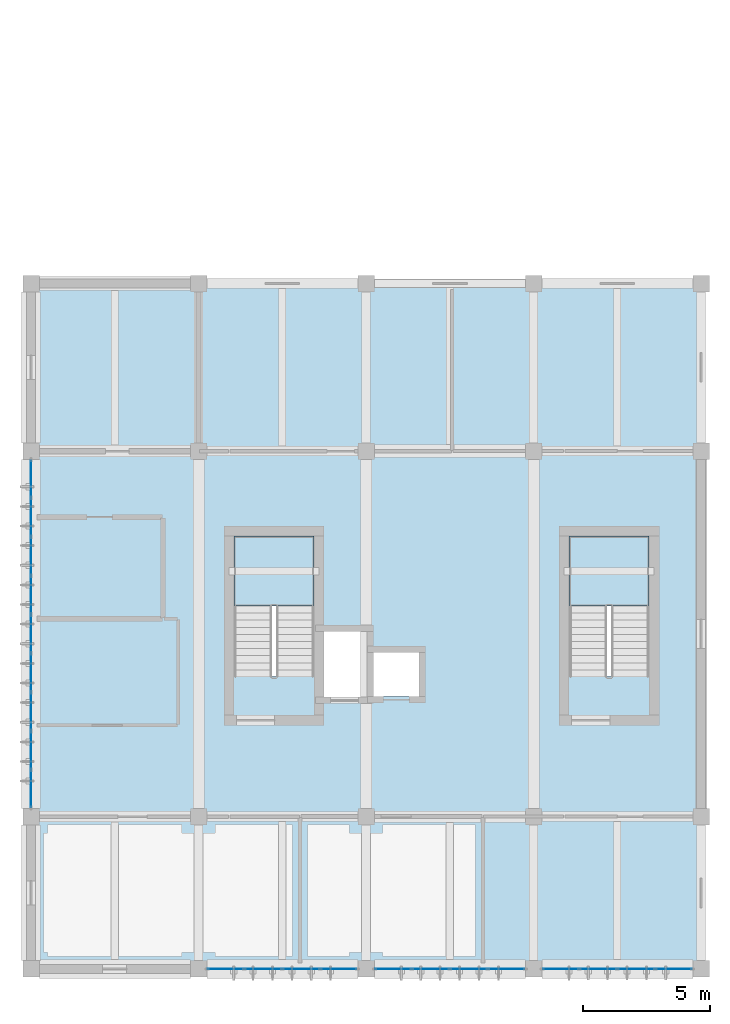
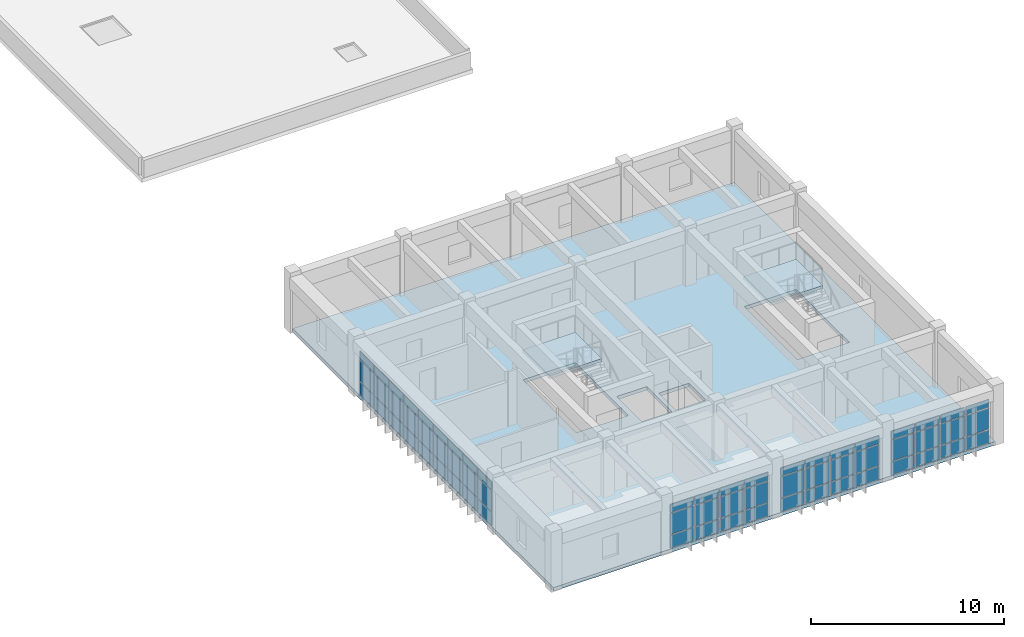
# One storey, part 5 of 9: 63 plates, 3 slabs, 6 elements without a shape of their own.
"""IFC4 building model written with IfcOpenShell, lengths in metres."""

from ifc_helpers import new_model, si_unit, direction, frame, origin, origin_2d, place, context, subcontext, project, spatial, polyline, rectangle, outline, extrude, material, layer, layer_set, type_object, element, aggregate, save


model = new_model("IFC4")

# Units and contexts
model_context = context("Model", 3, precision=1e-05, world=origin(), true_north=direction((0.0, 1.0)))
body_context = subcontext(model_context, "Body", "Model", "MODEL_VIEW")
ifc_project = project(units=[si_unit("LENGTHUNIT", "METRE"), si_unit("AREAUNIT", "SQUARE_METRE"), si_unit("VOLUMEUNIT", "CUBIC_METRE"), si_unit("PLANEANGLEUNIT", "RADIAN"), si_unit("MASSUNIT", "GRAM", prefix="KILO")], contexts=[model_context])

# Site, building, storey
site_placement = place(None, origin())
site = spatial("IfcSite", under=ifc_project, at=site_placement, CompositionType="ELEMENT")
building_placement = place(site_placement, origin())
building = spatial("IfcBuilding", under=site, at=building_placement, Name="Miralva Faculty of Natural Sciences", CompositionType="ELEMENT")
storey_placement = place(building_placement, frame((0.0, 0.0, 33.0)))
storey = spatial("IfcBuildingStorey", under=building, at=storey_placement, Name="L07", CompositionType="ELEMENT", Elevation=33.0)

# Curtain wall, plates
ifc_material_1 = material(Name="Laminated solar-control glass", Category="glass")
ifc_layer_1 = layer(ifc_material_1, 0.179931640625, Name="CW-TWR-L07")
ifc_layer_set_1 = layer_set([ifc_layer_1], Name="Laminated solar-control glass")
curtain_wall_type = type_object("IfcCurtainWallType", Name="CW-TWR-L07", PredefinedType="USERDEFINED", material=ifc_layer_set_1)
curtain_wall_1_placement = place(storey_placement, origin())
curtain_wall_1 = element("IfcCurtainWall", 1, at=curtain_wall_1_placement, inside=storey, type_object=curtain_wall_type, Name="Curtain wall CW-15 L07-243", ObjectType="UNITISED CURTAIN WALL", PredefinedType="USERDEFINED")
ifc_layer_2 = layer(ifc_material_1, 0.028076171875, Name="PNL-P01")
ifc_layer_set_2 = layer_set([ifc_layer_2], Name="Laminated solar-control glass")
plate_type = type_object("IfcPlateType", Name="PNL-P01", PredefinedType="CURTAIN_PANEL", material=ifc_layer_set_2)
plate_1_placement = place(storey_placement, frame((10.668701171875, 3.0, 0.06005859375), z_axis=(0.0, 0.0, 1.0), x_axis=(1.0, 0.0, 0.0)))
plate_1 = element("IfcPlate", 2, at=plate_1_placement, type_object=plate_type, Name="CW-15 panel 1.1", PredefinedType="CURTAIN_PANEL", context=body_context, shape_type="SweptSolid", body=[
    extrude(rectangle(XDim=1.3974609375, YDim=0.028076171875, at=origin_2d()), origin(), (0.0, 0.0, 1.0), 0.81005859375),
])
plate_2_placement = place(storey_placement, frame((10.668701171875, 3.0, 0.929931640625), z_axis=(0.0, 0.0, 1.0), x_axis=(1.0, 0.0, 0.0)))
plate_2 = element("IfcPlate", 3, at=plate_2_placement, type_object=plate_type, Name="CW-15 panel 1.2", PredefinedType="CURTAIN_PANEL", context=body_context, shape_type="SweptSolid", body=[
    extrude(rectangle(XDim=1.3974609375, YDim=0.028076171875, at=origin_2d()), origin(), (0.0, 0.0, 1.0), 1.31494140625),
])
plate_3_placement = place(storey_placement, frame((10.668701171875, 3.0, 2.30517578125), z_axis=(0.0, 0.0, 1.0), x_axis=(1.0, 0.0, 0.0)))
plate_3 = element("IfcPlate", 4, at=plate_3_placement, type_object=plate_type, Name="CW-15 panel 1.3", PredefinedType="CURTAIN_PANEL", context=body_context, shape_type="SweptSolid", body=[
    extrude(rectangle(XDim=1.3974609375, YDim=0.028076171875, at=origin_2d()), origin(), (0.0, 0.0, 1.0), 0.510009765625),
])
plate_4_placement = place(storey_placement, frame((12.1474609375, 3.0, 0.06005859375), z_axis=(0.0, 0.0, 1.0), x_axis=(1.0, 0.0, 0.0)))
plate_4 = element("IfcPlate", 5, at=plate_4_placement, type_object=plate_type, Name="CW-15 panel 2.1", PredefinedType="CURTAIN_PANEL", context=body_context, shape_type="SweptSolid", body=[
    extrude(rectangle(XDim=1.429931640625, YDim=0.028076171875, at=origin_2d()), origin(), (0.0, 0.0, 1.0), 0.81005859375),
])
plate_5_placement = place(storey_placement, frame((12.1474609375, 3.0, 0.929931640625), z_axis=(0.0, 0.0, 1.0), x_axis=(1.0, 0.0, 0.0)))
plate_5 = element("IfcPlate", 6, at=plate_5_placement, type_object=plate_type, Name="CW-15 panel 2.2", PredefinedType="CURTAIN_PANEL", context=body_context, shape_type="SweptSolid", body=[
    extrude(rectangle(XDim=1.429931640625, YDim=0.028076171875, at=origin_2d()), origin(), (0.0, 0.0, 1.0), 1.31494140625),
])
plate_6_placement = place(storey_placement, frame((12.1474609375, 3.0, 2.30517578125), z_axis=(0.0, 0.0, 1.0), x_axis=(1.0, 0.0, 0.0)))
plate_6 = element("IfcPlate", 7, at=plate_6_placement, type_object=plate_type, Name="CW-15 panel 2.3", PredefinedType="CURTAIN_PANEL", context=body_context, shape_type="SweptSolid", body=[
    extrude(rectangle(XDim=1.429931640625, YDim=0.028076171875, at=origin_2d()), origin(), (0.0, 0.0, 1.0), 0.510009765625),
])
plate_7_placement = place(storey_placement, frame((13.642578125, 3.0, 0.06005859375), z_axis=(0.0, 0.0, 1.0), x_axis=(1.0, 0.0, 0.0)))
plate_7 = element("IfcPlate", 8, at=plate_7_placement, type_object=plate_type, Name="CW-15 panel 3.1", PredefinedType="CURTAIN_PANEL", context=body_context, shape_type="SweptSolid", body=[
    extrude(rectangle(XDim=1.429931640625, YDim=0.028076171875, at=origin_2d()), origin(), (0.0, 0.0, 1.0), 0.81005859375),
])
plate_8_placement = place(storey_placement, frame((13.642578125, 3.0, 0.929931640625), z_axis=(0.0, 0.0, 1.0), x_axis=(1.0, 0.0, 0.0)))
plate_8 = element("IfcPlate", 9, at=plate_8_placement, type_object=plate_type, Name="CW-15 panel 3.2", PredefinedType="CURTAIN_PANEL", context=body_context, shape_type="SweptSolid", body=[
    extrude(rectangle(XDim=1.429931640625, YDim=0.028076171875, at=origin_2d()), origin(), (0.0, 0.0, 1.0), 1.31494140625),
])
plate_9_placement = place(storey_placement, frame((13.642578125, 3.0, 2.30517578125), z_axis=(0.0, 0.0, 1.0), x_axis=(1.0, 0.0, 0.0)))
plate_9 = element("IfcPlate", 10, at=plate_9_placement, type_object=plate_type, Name="CW-15 panel 3.3", PredefinedType="CURTAIN_PANEL", context=body_context, shape_type="SweptSolid", body=[
    extrude(rectangle(XDim=1.429931640625, YDim=0.028076171875, at=origin_2d()), origin(), (0.0, 0.0, 1.0), 0.510009765625),
])
plate_10_placement = place(storey_placement, frame((15.121337890625, 3.0, 0.06005859375), z_axis=(0.0, 0.0, 1.0), x_axis=(1.0, 0.0, 0.0)))
plate_10 = element("IfcPlate", 11, at=plate_10_placement, type_object=plate_type, Name="CW-15 panel 4.1", PredefinedType="CURTAIN_PANEL", context=body_context, shape_type="SweptSolid", body=[
    extrude(rectangle(XDim=1.3974609375, YDim=0.028076171875, at=origin_2d()), origin(), (0.0, 0.0, 1.0), 0.81005859375),
])
plate_11_placement = place(storey_placement, frame((15.121337890625, 3.0, 0.929931640625), z_axis=(0.0, 0.0, 1.0), x_axis=(1.0, 0.0, 0.0)))
plate_11 = element("IfcPlate", 12, at=plate_11_placement, type_object=plate_type, Name="CW-15 panel 4.2", PredefinedType="CURTAIN_PANEL", context=body_context, shape_type="SweptSolid", body=[
    extrude(rectangle(XDim=1.3974609375, YDim=0.028076171875, at=origin_2d()), origin(), (0.0, 0.0, 1.0), 1.31494140625),
])
plate_12_placement = place(storey_placement, frame((15.121337890625, 3.0, 2.30517578125), z_axis=(0.0, 0.0, 1.0), x_axis=(1.0, 0.0, 0.0)))
plate_12 = element("IfcPlate", 13, at=plate_12_placement, type_object=plate_type, Name="CW-15 panel 4.3", PredefinedType="CURTAIN_PANEL", context=body_context, shape_type="SweptSolid", body=[
    extrude(rectangle(XDim=1.3974609375, YDim=0.028076171875, at=origin_2d()), origin(), (0.0, 0.0, 1.0), 0.510009765625),
])
aggregate(curtain_wall_1, [plate_1, plate_2, plate_3, plate_4, plate_5, plate_6, plate_7, plate_8, plate_9, plate_10, plate_11, plate_12])

curtain_wall_2_placement = place(storey_placement, origin())
curtain_wall_2 = element("IfcCurtainWall", 14, at=curtain_wall_2_placement, inside=storey, type_object=curtain_wall_type, Name="Curtain wall CW-15 L07-244", ObjectType="UNITISED CURTAIN WALL", PredefinedType="USERDEFINED")
plate_13_placement = place(storey_placement, frame((17.27001953125, 3.0, 0.06005859375), z_axis=(0.0, 0.0, 1.0), x_axis=(1.0, 0.0, 0.0)))
plate_13 = element("IfcPlate", 15, at=plate_13_placement, type_object=plate_type, Name="CW-15 panel 1.1", PredefinedType="CURTAIN_PANEL", context=body_context, shape_type="SweptSolid", body=[
    extrude(rectangle(XDim=1.39990234375, YDim=0.028076171875, at=origin_2d()), origin(), (0.0, 0.0, 1.0), 0.81005859375),
])
plate_14_placement = place(storey_placement, frame((17.27001953125, 3.0, 0.929931640625), z_axis=(0.0, 0.0, 1.0), x_axis=(1.0, 0.0, 0.0)))
plate_14 = element("IfcPlate", 16, at=plate_14_placement, type_object=plate_type, Name="CW-15 panel 1.2", PredefinedType="CURTAIN_PANEL", context=body_context, shape_type="SweptSolid", body=[
    extrude(rectangle(XDim=1.39990234375, YDim=0.028076171875, at=origin_2d()), origin(), (0.0, 0.0, 1.0), 1.31494140625),
])
plate_15_placement = place(storey_placement, frame((17.27001953125, 3.0, 2.30517578125), z_axis=(0.0, 0.0, 1.0), x_axis=(1.0, 0.0, 0.0)))
plate_15 = element("IfcPlate", 17, at=plate_15_placement, type_object=plate_type, Name="CW-15 panel 1.3", PredefinedType="CURTAIN_PANEL", context=body_context, shape_type="SweptSolid", body=[
    extrude(rectangle(XDim=1.39990234375, YDim=0.028076171875, at=origin_2d()), origin(), (0.0, 0.0, 1.0), 0.510009765625),
])
plate_16_placement = place(storey_placement, frame((18.751220703125, 3.0, 0.06005859375), z_axis=(0.0, 0.0, 1.0), x_axis=(1.0, 0.0, 0.0)))
plate_16 = element("IfcPlate", 18, at=plate_16_placement, type_object=plate_type, Name="CW-15 panel 2.1", PredefinedType="CURTAIN_PANEL", context=body_context, shape_type="SweptSolid", body=[
    extrude(rectangle(XDim=1.4326171875, YDim=0.028076171875, at=origin_2d()), origin(), (0.0, 0.0, 1.0), 0.81005859375),
])
plate_17_placement = place(storey_placement, frame((18.751220703125, 3.0, 0.929931640625), z_axis=(0.0, 0.0, 1.0), x_axis=(1.0, 0.0, 0.0)))
plate_17 = element("IfcPlate", 19, at=plate_17_placement, type_object=plate_type, Name="CW-15 panel 2.2", PredefinedType="CURTAIN_PANEL", context=body_context, shape_type="SweptSolid", body=[
    extrude(rectangle(XDim=1.4326171875, YDim=0.028076171875, at=origin_2d()), origin(), (0.0, 0.0, 1.0), 1.31494140625),
])
plate_18_placement = place(storey_placement, frame((18.751220703125, 3.0, 2.30517578125), z_axis=(0.0, 0.0, 1.0), x_axis=(1.0, 0.0, 0.0)))
plate_18 = element("IfcPlate", 20, at=plate_18_placement, type_object=plate_type, Name="CW-15 panel 2.3", PredefinedType="CURTAIN_PANEL", context=body_context, shape_type="SweptSolid", body=[
    extrude(rectangle(XDim=1.4326171875, YDim=0.028076171875, at=origin_2d()), origin(), (0.0, 0.0, 1.0), 0.510009765625),
])
plate_19_placement = place(storey_placement, frame((20.248779296875, 3.0, 0.06005859375), z_axis=(0.0, 0.0, 1.0), x_axis=(1.0, 0.0, 0.0)))
plate_19 = element("IfcPlate", 21, at=plate_19_placement, type_object=plate_type, Name="CW-15 panel 3.1", PredefinedType="CURTAIN_PANEL", context=body_context, shape_type="SweptSolid", body=[
    extrude(rectangle(XDim=1.4326171875, YDim=0.028076171875, at=origin_2d()), origin(), (0.0, 0.0, 1.0), 0.81005859375),
])
plate_20_placement = place(storey_placement, frame((20.248779296875, 3.0, 0.929931640625), z_axis=(0.0, 0.0, 1.0), x_axis=(1.0, 0.0, 0.0)))
plate_20 = element("IfcPlate", 22, at=plate_20_placement, type_object=plate_type, Name="CW-15 panel 3.2", PredefinedType="CURTAIN_PANEL", context=body_context, shape_type="SweptSolid", body=[
    extrude(rectangle(XDim=1.4326171875, YDim=0.028076171875, at=origin_2d()), origin(), (0.0, 0.0, 1.0), 1.31494140625),
])
plate_21_placement = place(storey_placement, frame((20.248779296875, 3.0, 2.30517578125), z_axis=(0.0, 0.0, 1.0), x_axis=(1.0, 0.0, 0.0)))
plate_21 = element("IfcPlate", 23, at=plate_21_placement, type_object=plate_type, Name="CW-15 panel 3.3", PredefinedType="CURTAIN_PANEL", context=body_context, shape_type="SweptSolid", body=[
    extrude(rectangle(XDim=1.4326171875, YDim=0.028076171875, at=origin_2d()), origin(), (0.0, 0.0, 1.0), 0.510009765625),
])
plate_22_placement = place(storey_placement, frame((21.72998046875, 3.0, 0.06005859375), z_axis=(0.0, 0.0, 1.0), x_axis=(1.0, 0.0, 0.0)))
plate_22 = element("IfcPlate", 24, at=plate_22_placement, type_object=plate_type, Name="CW-15 panel 4.1", PredefinedType="CURTAIN_PANEL", context=body_context, shape_type="SweptSolid", body=[
    extrude(rectangle(XDim=1.39990234375, YDim=0.028076171875, at=origin_2d()), origin(), (0.0, 0.0, 1.0), 0.81005859375),
])
plate_23_placement = place(storey_placement, frame((21.72998046875, 3.0, 0.929931640625), z_axis=(0.0, 0.0, 1.0), x_axis=(1.0, 0.0, 0.0)))
plate_23 = element("IfcPlate", 25, at=plate_23_placement, type_object=plate_type, Name="CW-15 panel 4.2", PredefinedType="CURTAIN_PANEL", context=body_context, shape_type="SweptSolid", body=[
    extrude(rectangle(XDim=1.39990234375, YDim=0.028076171875, at=origin_2d()), origin(), (0.0, 0.0, 1.0), 1.31494140625),
])
plate_24_placement = place(storey_placement, frame((21.72998046875, 3.0, 2.30517578125), z_axis=(0.0, 0.0, 1.0), x_axis=(1.0, 0.0, 0.0)))
plate_24 = element("IfcPlate", 26, at=plate_24_placement, type_object=plate_type, Name="CW-15 panel 4.3", PredefinedType="CURTAIN_PANEL", context=body_context, shape_type="SweptSolid", body=[
    extrude(rectangle(XDim=1.39990234375, YDim=0.028076171875, at=origin_2d()), origin(), (0.0, 0.0, 1.0), 0.510009765625),
])
aggregate(curtain_wall_2, [plate_13, plate_14, plate_15, plate_16, plate_17, plate_18, plate_19, plate_20, plate_21, plate_22, plate_23, plate_24])

curtain_wall_3_placement = place(storey_placement, origin())
curtain_wall_3 = element("IfcCurtainWall", 27, at=curtain_wall_3_placement, inside=storey, type_object=curtain_wall_type, Name="Curtain wall CW-15 L07-245", ObjectType="UNITISED CURTAIN WALL", PredefinedType="USERDEFINED")
plate_25_placement = place(storey_placement, frame((23.86865234375, 3.0, 0.06005859375), z_axis=(0.0, 0.0, 1.0), x_axis=(1.0, 0.0, 0.0)))
plate_25 = element("IfcPlate", 28, at=plate_25_placement, type_object=plate_type, Name="CW-15 panel 1.1", PredefinedType="CURTAIN_PANEL", context=body_context, shape_type="SweptSolid", body=[
    extrude(rectangle(XDim=1.3974609375, YDim=0.028076171875, at=origin_2d()), origin(), (0.0, 0.0, 1.0), 0.81005859375),
])
plate_26_placement = place(storey_placement, frame((23.86865234375, 3.0, 0.929931640625), z_axis=(0.0, 0.0, 1.0), x_axis=(1.0, 0.0, 0.0)))
plate_26 = element("IfcPlate", 29, at=plate_26_placement, type_object=plate_type, Name="CW-15 panel 1.2", PredefinedType="CURTAIN_PANEL", context=body_context, shape_type="SweptSolid", body=[
    extrude(rectangle(XDim=1.3974609375, YDim=0.028076171875, at=origin_2d()), origin(), (0.0, 0.0, 1.0), 1.31494140625),
])
plate_27_placement = place(storey_placement, frame((23.86865234375, 3.0, 2.30517578125), z_axis=(0.0, 0.0, 1.0), x_axis=(1.0, 0.0, 0.0)))
plate_27 = element("IfcPlate", 30, at=plate_27_placement, type_object=plate_type, Name="CW-15 panel 1.3", PredefinedType="CURTAIN_PANEL", context=body_context, shape_type="SweptSolid", body=[
    extrude(rectangle(XDim=1.3974609375, YDim=0.028076171875, at=origin_2d()), origin(), (0.0, 0.0, 1.0), 0.510009765625),
])
plate_28_placement = place(storey_placement, frame((25.347412109375, 3.0, 0.06005859375), z_axis=(0.0, 0.0, 1.0), x_axis=(1.0, 0.0, 0.0)))
plate_28 = element("IfcPlate", 31, at=plate_28_placement, type_object=plate_type, Name="CW-15 panel 2.1", PredefinedType="CURTAIN_PANEL", context=body_context, shape_type="SweptSolid", body=[
    extrude(rectangle(XDim=1.429931640625, YDim=0.028076171875, at=origin_2d()), origin(), (0.0, 0.0, 1.0), 0.81005859375),
])
plate_29_placement = place(storey_placement, frame((25.347412109375, 3.0, 0.929931640625), z_axis=(0.0, 0.0, 1.0), x_axis=(1.0, 0.0, 0.0)))
plate_29 = element("IfcPlate", 32, at=plate_29_placement, type_object=plate_type, Name="CW-15 panel 2.2", PredefinedType="CURTAIN_PANEL", context=body_context, shape_type="SweptSolid", body=[
    extrude(rectangle(XDim=1.429931640625, YDim=0.028076171875, at=origin_2d()), origin(), (0.0, 0.0, 1.0), 1.31494140625),
])
plate_30_placement = place(storey_placement, frame((25.347412109375, 3.0, 2.30517578125), z_axis=(0.0, 0.0, 1.0), x_axis=(1.0, 0.0, 0.0)))
plate_30 = element("IfcPlate", 33, at=plate_30_placement, type_object=plate_type, Name="CW-15 panel 2.3", PredefinedType="CURTAIN_PANEL", context=body_context, shape_type="SweptSolid", body=[
    extrude(rectangle(XDim=1.429931640625, YDim=0.028076171875, at=origin_2d()), origin(), (0.0, 0.0, 1.0), 0.510009765625),
])
plate_31_placement = place(storey_placement, frame((26.842529296875, 3.0, 0.06005859375), z_axis=(0.0, 0.0, 1.0), x_axis=(1.0, 0.0, 0.0)))
plate_31 = element("IfcPlate", 34, at=plate_31_placement, type_object=plate_type, Name="CW-15 panel 3.1", PredefinedType="CURTAIN_PANEL", context=body_context, shape_type="SweptSolid", body=[
    extrude(rectangle(XDim=1.429931640625, YDim=0.028076171875, at=origin_2d()), origin(), (0.0, 0.0, 1.0), 0.81005859375),
])
plate_32_placement = place(storey_placement, frame((26.842529296875, 3.0, 0.929931640625), z_axis=(0.0, 0.0, 1.0), x_axis=(1.0, 0.0, 0.0)))
plate_32 = element("IfcPlate", 35, at=plate_32_placement, type_object=plate_type, Name="CW-15 panel 3.2", PredefinedType="CURTAIN_PANEL", context=body_context, shape_type="SweptSolid", body=[
    extrude(rectangle(XDim=1.429931640625, YDim=0.028076171875, at=origin_2d()), origin(), (0.0, 0.0, 1.0), 1.31494140625),
])
plate_33_placement = place(storey_placement, frame((26.842529296875, 3.0, 2.30517578125), z_axis=(0.0, 0.0, 1.0), x_axis=(1.0, 0.0, 0.0)))
plate_33 = element("IfcPlate", 36, at=plate_33_placement, type_object=plate_type, Name="CW-15 panel 3.3", PredefinedType="CURTAIN_PANEL", context=body_context, shape_type="SweptSolid", body=[
    extrude(rectangle(XDim=1.429931640625, YDim=0.028076171875, at=origin_2d()), origin(), (0.0, 0.0, 1.0), 0.510009765625),
])
plate_34_placement = place(storey_placement, frame((28.3212890625, 3.0, 0.06005859375), z_axis=(0.0, 0.0, 1.0), x_axis=(1.0, 0.0, 0.0)))
plate_34 = element("IfcPlate", 37, at=plate_34_placement, type_object=plate_type, Name="CW-15 panel 4.1", PredefinedType="CURTAIN_PANEL", context=body_context, shape_type="SweptSolid", body=[
    extrude(rectangle(XDim=1.3974609375, YDim=0.028076171875, at=origin_2d()), origin(), (0.0, 0.0, 1.0), 0.81005859375),
])
plate_35_placement = place(storey_placement, frame((28.3212890625, 3.0, 0.929931640625), z_axis=(0.0, 0.0, 1.0), x_axis=(1.0, 0.0, 0.0)))
plate_35 = element("IfcPlate", 38, at=plate_35_placement, type_object=plate_type, Name="CW-15 panel 4.2", PredefinedType="CURTAIN_PANEL", context=body_context, shape_type="SweptSolid", body=[
    extrude(rectangle(XDim=1.3974609375, YDim=0.028076171875, at=origin_2d()), origin(), (0.0, 0.0, 1.0), 1.31494140625),
])
plate_36_placement = place(storey_placement, frame((28.3212890625, 3.0, 2.30517578125), z_axis=(0.0, 0.0, 1.0), x_axis=(1.0, 0.0, 0.0)))
plate_36 = element("IfcPlate", 39, at=plate_36_placement, type_object=plate_type, Name="CW-15 panel 4.3", PredefinedType="CURTAIN_PANEL", context=body_context, shape_type="SweptSolid", body=[
    extrude(rectangle(XDim=1.3974609375, YDim=0.028076171875, at=origin_2d()), origin(), (0.0, 0.0, 1.0), 0.510009765625),
])
aggregate(curtain_wall_3, [plate_25, plate_26, plate_27, plate_28, plate_29, plate_30, plate_31, plate_32, plate_33, plate_34, plate_35, plate_36])

curtain_wall_4_placement = place(storey_placement, origin())
curtain_wall_4 = element("IfcCurtainWall", 40, at=curtain_wall_4_placement, inside=storey, type_object=curtain_wall_type, Name="Curtain wall CW-15 L07-246", ObjectType="UNITISED CURTAIN WALL", PredefinedType="USERDEFINED")
plate_37_placement = place(storey_placement, frame((3.0, 10.09619140625, 0.06005859375), z_axis=(0.0, 0.0, 1.0), x_axis=(0.0, 1.0, 0.0)))
plate_37 = element("IfcPlate", 41, at=plate_37_placement, type_object=plate_type, Name="CW-15 panel 1.1", PredefinedType="CURTAIN_PANEL", context=body_context, shape_type="SweptSolid", body=[
    extrude(rectangle(XDim=1.4326171875, YDim=0.028076171875, at=origin_2d()), origin(), (0.0, 0.0, 1.0), 0.81005859375),
])
plate_38_placement = place(storey_placement, frame((3.0, 10.09619140625, 0.929931640625), z_axis=(0.0, 0.0, 1.0), x_axis=(0.0, 1.0, 0.0)))
plate_38 = element("IfcPlate", 42, at=plate_38_placement, type_object=plate_type, Name="CW-15 panel 1.2", PredefinedType="CURTAIN_PANEL", context=body_context, shape_type="SweptSolid", body=[
    extrude(rectangle(XDim=1.4326171875, YDim=0.028076171875, at=origin_2d()), origin(), (0.0, 0.0, 1.0), 1.31494140625),
])
plate_39_placement = place(storey_placement, frame((3.0, 10.09619140625, 2.30517578125), z_axis=(0.0, 0.0, 1.0), x_axis=(0.0, 1.0, 0.0)))
plate_39 = element("IfcPlate", 43, at=plate_39_placement, type_object=plate_type, Name="CW-15 panel 1.3", PredefinedType="CURTAIN_PANEL", context=body_context, shape_type="SweptSolid", body=[
    extrude(rectangle(XDim=1.4326171875, YDim=0.028076171875, at=origin_2d()), origin(), (0.0, 0.0, 1.0), 0.510009765625),
])
plate_40_placement = place(storey_placement, frame((3.0, 11.610107421875, 0.06005859375), z_axis=(0.0, 0.0, 1.0), x_axis=(0.0, 1.0, 0.0)))
plate_40 = element("IfcPlate", 44, at=plate_40_placement, type_object=plate_type, Name="CW-15 panel 2.1", PredefinedType="CURTAIN_PANEL", context=body_context, shape_type="SweptSolid", body=[
    extrude(rectangle(XDim=1.465087890625, YDim=0.028076171875, at=origin_2d()), origin(), (0.0, 0.0, 1.0), 0.81005859375),
])
plate_41_placement = place(storey_placement, frame((3.0, 11.610107421875, 0.929931640625), z_axis=(0.0, 0.0, 1.0), x_axis=(0.0, 1.0, 0.0)))
plate_41 = element("IfcPlate", 45, at=plate_41_placement, type_object=plate_type, Name="CW-15 panel 2.2", PredefinedType="CURTAIN_PANEL", context=body_context, shape_type="SweptSolid", body=[
    extrude(rectangle(XDim=1.465087890625, YDim=0.028076171875, at=origin_2d()), origin(), (0.0, 0.0, 1.0), 1.31494140625),
])
plate_42_placement = place(storey_placement, frame((3.0, 11.610107421875, 2.30517578125), z_axis=(0.0, 0.0, 1.0), x_axis=(0.0, 1.0, 0.0)))
plate_42 = element("IfcPlate", 46, at=plate_42_placement, type_object=plate_type, Name="CW-15 panel 2.3", PredefinedType="CURTAIN_PANEL", context=body_context, shape_type="SweptSolid", body=[
    extrude(rectangle(XDim=1.465087890625, YDim=0.028076171875, at=origin_2d()), origin(), (0.0, 0.0, 1.0), 0.510009765625),
])
plate_43_placement = place(storey_placement, frame((3.0, 13.139892578125, 0.06005859375), z_axis=(0.0, 0.0, 1.0), x_axis=(0.0, 1.0, 0.0)))
plate_43 = element("IfcPlate", 47, at=plate_43_placement, type_object=plate_type, Name="CW-15 panel 3.1", PredefinedType="CURTAIN_PANEL", context=body_context, shape_type="SweptSolid", body=[
    extrude(rectangle(XDim=1.465087890625, YDim=0.028076171875, at=origin_2d()), origin(), (0.0, 0.0, 1.0), 0.81005859375),
])
plate_44_placement = place(storey_placement, frame((3.0, 13.139892578125, 0.929931640625), z_axis=(0.0, 0.0, 1.0), x_axis=(0.0, 1.0, 0.0)))
plate_44 = element("IfcPlate", 48, at=plate_44_placement, type_object=plate_type, Name="CW-15 panel 3.2", PredefinedType="CURTAIN_PANEL", context=body_context, shape_type="SweptSolid", body=[
    extrude(rectangle(XDim=1.465087890625, YDim=0.028076171875, at=origin_2d()), origin(), (0.0, 0.0, 1.0), 1.31494140625),
])
plate_45_placement = place(storey_placement, frame((3.0, 13.139892578125, 2.30517578125), z_axis=(0.0, 0.0, 1.0), x_axis=(0.0, 1.0, 0.0)))
plate_45 = element("IfcPlate", 49, at=plate_45_placement, type_object=plate_type, Name="CW-15 panel 3.3", PredefinedType="CURTAIN_PANEL", context=body_context, shape_type="SweptSolid", body=[
    extrude(rectangle(XDim=1.465087890625, YDim=0.028076171875, at=origin_2d()), origin(), (0.0, 0.0, 1.0), 0.510009765625),
])
plate_46_placement = place(storey_placement, frame((3.0, 14.669921875, 0.06005859375), z_axis=(0.0, 0.0, 1.0), x_axis=(0.0, 1.0, 0.0)))
plate_46 = element("IfcPlate", 50, at=plate_46_placement, type_object=plate_type, Name="CW-15 panel 4.1", PredefinedType="CURTAIN_PANEL", context=body_context, shape_type="SweptSolid", body=[
    extrude(rectangle(XDim=1.465087890625, YDim=0.028076171875, at=origin_2d()), origin(), (0.0, 0.0, 1.0), 0.81005859375),
])
plate_47_placement = place(storey_placement, frame((3.0, 14.669921875, 0.929931640625), z_axis=(0.0, 0.0, 1.0), x_axis=(0.0, 1.0, 0.0)))
plate_47 = element("IfcPlate", 51, at=plate_47_placement, type_object=plate_type, Name="CW-15 panel 4.2", PredefinedType="CURTAIN_PANEL", context=body_context, shape_type="SweptSolid", body=[
    extrude(rectangle(XDim=1.465087890625, YDim=0.028076171875, at=origin_2d()), origin(), (0.0, 0.0, 1.0), 1.31494140625),
])
plate_48_placement = place(storey_placement, frame((3.0, 14.669921875, 2.30517578125), z_axis=(0.0, 0.0, 1.0), x_axis=(0.0, 1.0, 0.0)))
plate_48 = element("IfcPlate", 52, at=plate_48_placement, type_object=plate_type, Name="CW-15 panel 4.3", PredefinedType="CURTAIN_PANEL", context=body_context, shape_type="SweptSolid", body=[
    extrude(rectangle(XDim=1.465087890625, YDim=0.028076171875, at=origin_2d()), origin(), (0.0, 0.0, 1.0), 0.510009765625),
])
plate_49_placement = place(storey_placement, frame((3.0, 16.199951171875, 0.06005859375), z_axis=(0.0, 0.0, 1.0), x_axis=(0.0, 1.0, 0.0)))
plate_49 = element("IfcPlate", 53, at=plate_49_placement, type_object=plate_type, Name="CW-15 panel 5.1", PredefinedType="CURTAIN_PANEL", context=body_context, shape_type="SweptSolid", body=[
    extrude(rectangle(XDim=1.465087890625, YDim=0.028076171875, at=origin_2d()), origin(), (0.0, 0.0, 1.0), 0.81005859375),
])
plate_50_placement = place(storey_placement, frame((3.0, 16.199951171875, 0.929931640625), z_axis=(0.0, 0.0, 1.0), x_axis=(0.0, 1.0, 0.0)))
plate_50 = element("IfcPlate", 54, at=plate_50_placement, type_object=plate_type, Name="CW-15 panel 5.2", PredefinedType="CURTAIN_PANEL", context=body_context, shape_type="SweptSolid", body=[
    extrude(rectangle(XDim=1.465087890625, YDim=0.028076171875, at=origin_2d()), origin(), (0.0, 0.0, 1.0), 1.31494140625),
])
plate_51_placement = place(storey_placement, frame((3.0, 16.199951171875, 2.30517578125), z_axis=(0.0, 0.0, 1.0), x_axis=(0.0, 1.0, 0.0)))
plate_51 = element("IfcPlate", 55, at=plate_51_placement, type_object=plate_type, Name="CW-15 panel 5.3", PredefinedType="CURTAIN_PANEL", context=body_context, shape_type="SweptSolid", body=[
    extrude(rectangle(XDim=1.465087890625, YDim=0.028076171875, at=origin_2d()), origin(), (0.0, 0.0, 1.0), 0.510009765625),
])
plate_52_placement = place(storey_placement, frame((3.0, 17.72998046875, 0.06005859375), z_axis=(0.0, 0.0, 1.0), x_axis=(0.0, 1.0, 0.0)))
plate_52 = element("IfcPlate", 56, at=plate_52_placement, type_object=plate_type, Name="CW-15 panel 6.1", PredefinedType="CURTAIN_PANEL", context=body_context, shape_type="SweptSolid", body=[
    extrude(rectangle(XDim=1.465087890625, YDim=0.028076171875, at=origin_2d()), origin(), (0.0, 0.0, 1.0), 0.81005859375),
])
plate_53_placement = place(storey_placement, frame((3.0, 17.72998046875, 0.929931640625), z_axis=(0.0, 0.0, 1.0), x_axis=(0.0, 1.0, 0.0)))
plate_53 = element("IfcPlate", 57, at=plate_53_placement, type_object=plate_type, Name="CW-15 panel 6.2", PredefinedType="CURTAIN_PANEL", context=body_context, shape_type="SweptSolid", body=[
    extrude(rectangle(XDim=1.465087890625, YDim=0.028076171875, at=origin_2d()), origin(), (0.0, 0.0, 1.0), 1.31494140625),
])
plate_54_placement = place(storey_placement, frame((3.0, 17.72998046875, 2.30517578125), z_axis=(0.0, 0.0, 1.0), x_axis=(0.0, 1.0, 0.0)))
plate_54 = element("IfcPlate", 58, at=plate_54_placement, type_object=plate_type, Name="CW-15 panel 6.3", PredefinedType="CURTAIN_PANEL", context=body_context, shape_type="SweptSolid", body=[
    extrude(rectangle(XDim=1.465087890625, YDim=0.028076171875, at=origin_2d()), origin(), (0.0, 0.0, 1.0), 0.510009765625),
])
plate_55_placement = place(storey_placement, frame((3.0, 19.260009765625, 0.06005859375), z_axis=(0.0, 0.0, 1.0), x_axis=(0.0, 1.0, 0.0)))
plate_55 = element("IfcPlate", 59, at=plate_55_placement, type_object=plate_type, Name="CW-15 panel 7.1", PredefinedType="CURTAIN_PANEL", context=body_context, shape_type="SweptSolid", body=[
    extrude(rectangle(XDim=1.465087890625, YDim=0.028076171875, at=origin_2d()), origin(), (0.0, 0.0, 1.0), 0.81005859375),
])
plate_56_placement = place(storey_placement, frame((3.0, 19.260009765625, 0.929931640625), z_axis=(0.0, 0.0, 1.0), x_axis=(0.0, 1.0, 0.0)))
plate_56 = element("IfcPlate", 60, at=plate_56_placement, type_object=plate_type, Name="CW-15 panel 7.2", PredefinedType="CURTAIN_PANEL", context=body_context, shape_type="SweptSolid", body=[
    extrude(rectangle(XDim=1.465087890625, YDim=0.028076171875, at=origin_2d()), origin(), (0.0, 0.0, 1.0), 1.31494140625),
])
plate_57_placement = place(storey_placement, frame((3.0, 19.260009765625, 2.30517578125), z_axis=(0.0, 0.0, 1.0), x_axis=(0.0, 1.0, 0.0)))
plate_57 = element("IfcPlate", 61, at=plate_57_placement, type_object=plate_type, Name="CW-15 panel 7.3", PredefinedType="CURTAIN_PANEL", context=body_context, shape_type="SweptSolid", body=[
    extrude(rectangle(XDim=1.465087890625, YDim=0.028076171875, at=origin_2d()), origin(), (0.0, 0.0, 1.0), 0.510009765625),
])
plate_58_placement = place(storey_placement, frame((3.0, 20.7900390625, 0.06005859375), z_axis=(0.0, 0.0, 1.0), x_axis=(0.0, 1.0, 0.0)))
plate_58 = element("IfcPlate", 62, at=plate_58_placement, type_object=plate_type, Name="CW-15 panel 8.1", PredefinedType="CURTAIN_PANEL", context=body_context, shape_type="SweptSolid", body=[
    extrude(rectangle(XDim=1.465087890625, YDim=0.028076171875, at=origin_2d()), origin(), (0.0, 0.0, 1.0), 0.81005859375),
])
plate_59_placement = place(storey_placement, frame((3.0, 20.7900390625, 0.929931640625), z_axis=(0.0, 0.0, 1.0), x_axis=(0.0, 1.0, 0.0)))
plate_59 = element("IfcPlate", 63, at=plate_59_placement, type_object=plate_type, Name="CW-15 panel 8.2", PredefinedType="CURTAIN_PANEL", context=body_context, shape_type="SweptSolid", body=[
    extrude(rectangle(XDim=1.465087890625, YDim=0.028076171875, at=origin_2d()), origin(), (0.0, 0.0, 1.0), 1.31494140625),
])
plate_60_placement = place(storey_placement, frame((3.0, 20.7900390625, 2.30517578125), z_axis=(0.0, 0.0, 1.0), x_axis=(0.0, 1.0, 0.0)))
plate_60 = element("IfcPlate", 64, at=plate_60_placement, type_object=plate_type, Name="CW-15 panel 8.3", PredefinedType="CURTAIN_PANEL", context=body_context, shape_type="SweptSolid", body=[
    extrude(rectangle(XDim=1.465087890625, YDim=0.028076171875, at=origin_2d()), origin(), (0.0, 0.0, 1.0), 0.510009765625),
])
plate_61_placement = place(storey_placement, frame((3.0, 22.3037109375, 0.06005859375), z_axis=(0.0, 0.0, 1.0), x_axis=(0.0, 1.0, 0.0)))
plate_61 = element("IfcPlate", 65, at=plate_61_placement, type_object=plate_type, Name="CW-15 panel 9.1", PredefinedType="CURTAIN_PANEL", context=body_context, shape_type="SweptSolid", body=[
    extrude(rectangle(XDim=1.4326171875, YDim=0.028076171875, at=origin_2d()), origin(), (0.0, 0.0, 1.0), 0.81005859375),
])
plate_62_placement = place(storey_placement, frame((3.0, 22.3037109375, 0.929931640625), z_axis=(0.0, 0.0, 1.0), x_axis=(0.0, 1.0, 0.0)))
plate_62 = element("IfcPlate", 66, at=plate_62_placement, type_object=plate_type, Name="CW-15 panel 9.2", PredefinedType="CURTAIN_PANEL", context=body_context, shape_type="SweptSolid", body=[
    extrude(rectangle(XDim=1.4326171875, YDim=0.028076171875, at=origin_2d()), origin(), (0.0, 0.0, 1.0), 1.31494140625),
])
plate_63_placement = place(storey_placement, frame((3.0, 22.3037109375, 2.30517578125), z_axis=(0.0, 0.0, 1.0), x_axis=(0.0, 1.0, 0.0)))
plate_63 = element("IfcPlate", 67, at=plate_63_placement, type_object=plate_type, Name="CW-15 panel 9.3", PredefinedType="CURTAIN_PANEL", context=body_context, shape_type="SweptSolid", body=[
    extrude(rectangle(XDim=1.4326171875, YDim=0.028076171875, at=origin_2d()), origin(), (0.0, 0.0, 1.0), 0.510009765625),
])
aggregate(curtain_wall_4, [plate_37, plate_38, plate_39, plate_40, plate_41, plate_42, plate_43, plate_44, plate_45, plate_46, plate_47, plate_48, plate_49, plate_50, plate_51, plate_52, plate_53, plate_54, plate_55, plate_56, plate_57, plate_58, plate_59, plate_60, plate_61, plate_62, plate_63])

# Slab
ifc_material_2 = material(Name="Concrete C40/50", Category="concrete")
ifc_layer_3 = layer(ifc_material_2, 0.219970703125, Name="SL-FL04")
ifc_layer_set_3 = layer_set([ifc_layer_3], Name="Concrete C40/50")
slab_type_1 = type_object("IfcSlabType", Name="SL-FL04", PredefinedType="FLOOR", material=ifc_layer_set_3)
slab_1_placement = place(storey_placement, frame((0.0, 0.0, -0.219970703125)))
element("IfcSlab", 68, at=slab_1_placement, inside=storey, type_object=slab_type_1, Name="V5 L07 floor slab", PredefinedType="FLOOR", context=body_context, shape_type="SweptSolid", body=[
    extrude(outline(polyline([(29.39990234375, 3.0), (3.0, 3.0), (3.0, 30.0), (29.39990234375, 30.0), (29.39990234375, 3.0)]), holes=[polyline([(14.125, 14.52490234375), (11.02490234375, 14.52490234375), (11.02490234375, 20.02490234375), (14.125, 20.02490234375), (14.125, 14.52490234375)]), polyline([(16.25, 13.699951171875), (14.449951171875, 13.699951171875), (14.449951171875, 16.300048828125), (16.25, 16.300048828125), (16.25, 13.699951171875)]), polyline([(18.2900390625, 13.72509765625), (16.489990234375, 13.72509765625), (16.489990234375, 15.47509765625), (18.2900390625, 15.47509765625), (18.2900390625, 13.72509765625)]), polyline([(27.324951171875, 14.52490234375), (24.22509765625, 14.52490234375), (24.22509765625, 20.02490234375), (27.324951171875, 20.02490234375), (27.324951171875, 14.52490234375)])]), origin(), (0.0, 0.0, 1.0), 0.219970703125),
])

# Stair, slab
stair_type = type_object("IfcStairType", Name="ST-CORE-380", PredefinedType="HALF_TURN_STAIR", material=ifc_material_2)
stair_1_placement = place(storey_placement, origin())
stair_1 = element("IfcStair", 69, at=stair_1_placement, inside=storey, type_object=stair_type, Name="Exit Stair Core C1 (ST-04) L07", PredefinedType="HALF_TURN_STAIR")
ifc_layer_4 = layer(ifc_material_2, 0.18994140625, Name="SL-LD01")
ifc_layer_set_4 = layer_set([ifc_layer_4], Name="Concrete C40/50")
slab_type_2 = type_object("IfcSlabType", Name="SL-LD01", PredefinedType="LANDING", material=ifc_layer_set_4)
slab_2_placement = place(storey_placement, frame((0.0, 0.0, 1.7099609375)))
slab_2 = element("IfcSlab", 70, at=slab_2_placement, type_object=slab_type_2, Name="ST-04 landing 1", PredefinedType="LANDING", context=body_context, shape_type="SweptSolid", body=[
    extrude(outline(polyline([(14.14990234375, 17.300048828125), (14.14990234375, 20.050048828125), (11.0, 20.050048828125), (11.0, 17.300048828125), (14.14990234375, 17.300048828125)])), origin(), (0.0, 0.0, 1.0), 0.18994140625),
])
aggregate(stair_1, [slab_2])

stair_2_placement = place(storey_placement, origin())
stair_2 = element("IfcStair", 71, at=stair_2_placement, inside=storey, type_object=stair_type, Name="Exit Stair Core C1B (ST-04) L07", PredefinedType="HALF_TURN_STAIR")
slab_3_placement = place(storey_placement, frame((0.0, 0.0, 1.7099609375)))
slab_3 = element("IfcSlab", 72, at=slab_3_placement, type_object=slab_type_2, Name="ST-04 landing 1", PredefinedType="LANDING", context=body_context, shape_type="SweptSolid", body=[
    extrude(outline(polyline([(27.35009765625, 17.300048828125), (27.35009765625, 20.050048828125), (24.199951171875, 20.050048828125), (24.199951171875, 17.300048828125), (27.35009765625, 17.300048828125)])), origin(), (0.0, 0.0, 1.0), 0.18994140625),
])
aggregate(stair_2, [slab_3])

save(model, "model.ifc")
